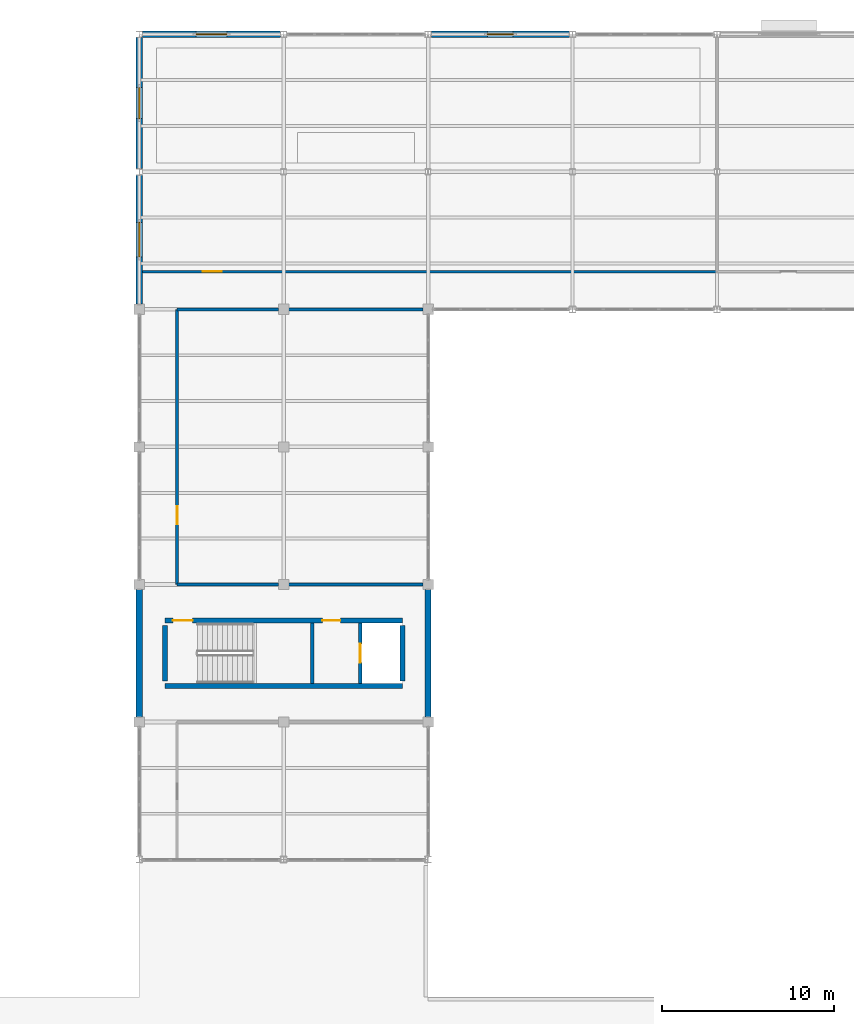
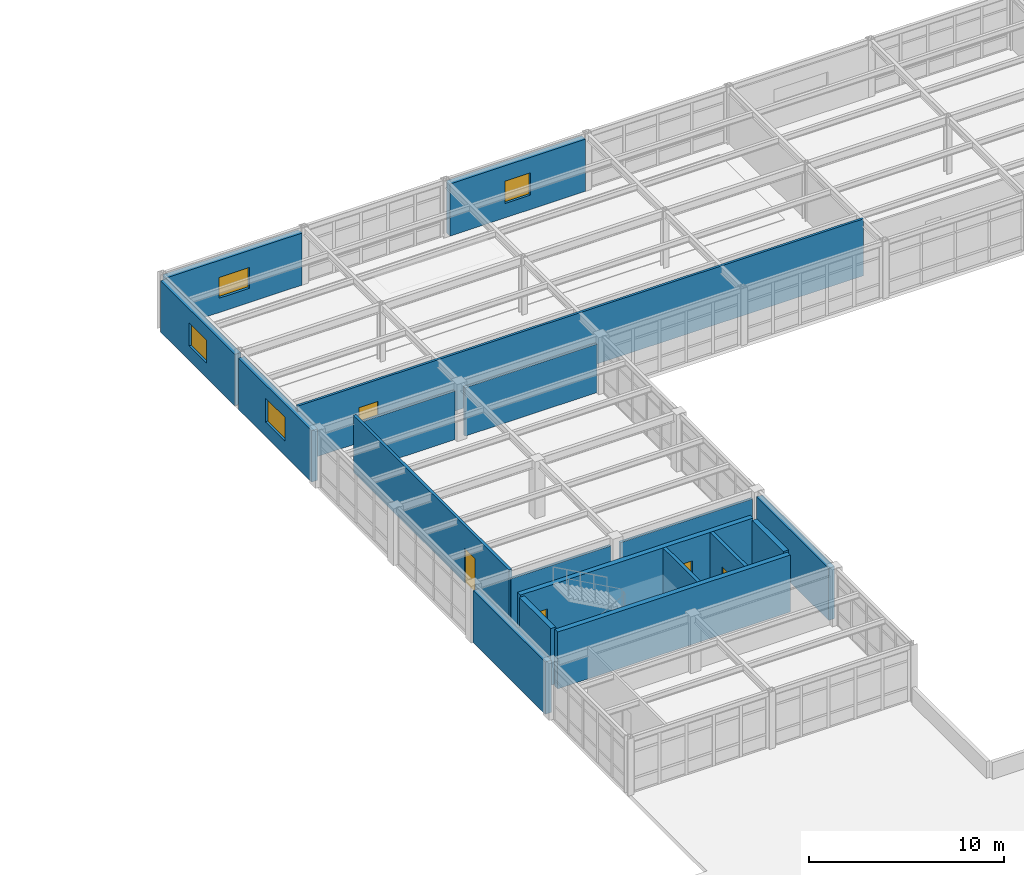
# One storey, part 52 of 96: 18 walls, 5 doors, 4 windows, 9 openings.
"""IFC4 building model written with IfcOpenShell, lengths in metres."""

from ifc_helpers import new_model, si_unit, direction, frame, frame_2d, origin, place, context, subcontext, project, spatial, rectangle, extrude, material, layer, layer_set, type_object, element, fill, save


model = new_model("IFC4")

# Units and contexts
model_context = context("Model", 3, precision=1e-05, world=origin(), true_north=direction((0.0, 1.0)))
body_context = subcontext(model_context, "Body", "Model", "MODEL_VIEW")
ifc_project = project(units=[si_unit("LENGTHUNIT", "METRE"), si_unit("AREAUNIT", "SQUARE_METRE"), si_unit("VOLUMEUNIT", "CUBIC_METRE"), si_unit("PLANEANGLEUNIT", "RADIAN"), si_unit("MASSUNIT", "GRAM", prefix="KILO")], contexts=[model_context])

# Site, building, storey
site_placement = place(None, origin())
site = spatial("IfcSite", under=ifc_project, at=site_placement, CompositionType="ELEMENT")
building_placement = place(site_placement, origin())
building = spatial("IfcBuilding", under=site, at=building_placement, Name="Kranzveld Transit Interchange", CompositionType="ELEMENT")
storey_placement = place(building_placement, frame((0.0, 0.0, 9.52001953125)))
storey = spatial("IfcBuildingStorey", under=building, at=storey_placement, Name="L02", CompositionType="ELEMENT", Elevation=9.52001953125)

# Wall, opening, door
ifc_material_1 = material(Name="Clay masonry unit wall, 20 MPa", Category="masonry")
ifc_layer_1 = layer(ifc_material_1, 0.1650390625)
ifc_layer_set_1 = layer_set([ifc_layer_1], Name="Clay masonry unit wall, 20 MPa")
wall_type_1 = type_object("IfcWallType", Name="Acoustic Double-Stud Partition 165", PredefinedType="PARTITIONING", material=ifc_layer_set_1)
wall_1_placement = place(storey_placement, frame((103.0, 80.0, 0.0), z_axis=(0.0, 0.0, 1.0), x_axis=(0.0, 1.0, 0.0)))
wall_1 = element("IfcWall", 1, at=wall_1_placement, inside=storey, type_object=wall_type_1, Name="L02 Partition IW-L02-L02V4S-FRT-219-0", PredefinedType="PARTITIONING", context=body_context, shape_type="SweptSolid", body=[
    extrude(rectangle(XDim=16.0, YDim=0.1650390625, at=frame_2d((8.0, 0.0))), origin(), (0.0, 0.0, 1.0), 3.570068359375),
])
opening_1_placement = place(wall_1_placement, frame((4.550048828125, 0.0, 0.0), z_axis=(0.0, 0.0, 1.0), x_axis=(-1.0, 0.0, 0.0)))
opening_1 = element("IfcOpeningElement", 2, at=opening_1_placement, cuts=wall_1, Name="Opening D-219", PredefinedType="OPENING", context=body_context, shape_type="SweptSolid", body=[
    extrude(rectangle(XDim=1.050048828125, YDim=2.14990234375, at=frame_2d((0.52490234375, 1.074951171875))), frame((0.0, 0.092529296875, 0.0), z_axis=(0.0, -1.0, 0.0), x_axis=(1.0, 0.0, 0.0)), (0.0, 0.0, 1.0), 0.18505859375),
])
ifc_material_2 = material(Name="Bronze-anodised thermally broken aluminium", Category="aluminium")
door_type_1 = type_object("IfcDoorType", Name="Acoustic Meeting Door 1050x2150", OperationType="NOTDEFINED", PredefinedType="DOOR", material=ifc_material_2)
door_1_placement = place(opening_1_placement, origin())
door_1 = element("IfcDoor", 3, at=door_1_placement, inside=storey, type_object=door_type_1, Name="L02 Interior Door D-219", OperationType="SINGLE_SWING_RIGHT", OverallHeight=2.14990234375, OverallWidth=1.050048828125, PredefinedType="DOOR", context=body_context, shape_type="SweptSolid", body=[
    extrude(rectangle(XDim=1.050048828125, YDim=2.14990234375, at=frame_2d((0.52490234375, 1.074951171875))), frame((0.0, 0.02490234375, 0.0), z_axis=(0.0, -1.0, 0.0), x_axis=(1.0, 0.0, 0.0)), (0.0, 0.0, 1.0), 0.050048828125),
])
fill(opening_1, door_1)

# Walls
wall_2_placement = place(storey_placement, frame((103.0, 80.0, 0.0), z_axis=(0.0, 0.0, 1.0), x_axis=(1.0, 0.0, 0.0)))
element("IfcWall", 4, at=wall_2_placement, inside=storey, type_object=wall_type_1, Name="L02 Partition IW-L02-L02V4S-S-219-0", PredefinedType="PARTITIONING", context=body_context, shape_type="SweptSolid", body=[
    extrude(rectangle(XDim=5.909912109375, YDim=0.1650390625, at=frame_2d((2.955078125, 0.0))), origin(), (0.0, 0.0, 1.0), 3.036865234375),
])
wall_3_placement = place(storey_placement, frame((109.489990234375, 80.0, 0.0), z_axis=(0.0, 0.0, 1.0), x_axis=(1.0, 0.0, 0.0)))
element("IfcWall", 5, at=wall_3_placement, inside=storey, type_object=wall_type_1, Name="L02 Partition IW-L02-L02V4S-S-219-1", PredefinedType="PARTITIONING", context=body_context, shape_type="SweptSolid", body=[
    extrude(rectangle(XDim=7.820068359375, YDim=0.1650390625, at=frame_2d((3.91015625, 0.0))), origin(), (0.0, 0.0, 1.0), 3.036865234375),
])
wall_4_placement = place(storey_placement, frame((103.0, 96.0, 0.0), z_axis=(0.0, 0.0, 1.0), x_axis=(1.0, 0.0, 0.0)))
element("IfcWall", 6, at=wall_4_placement, inside=storey, type_object=wall_type_1, Name="L02 Partition IW-L02-L02V4S-N-219-0", PredefinedType="PARTITIONING", context=body_context, shape_type="SweptSolid", body=[
    extrude(rectangle(XDim=5.909912109375, YDim=0.1650390625, at=frame_2d((2.955078125, 0.0))), origin(), (0.0, 0.0, 1.0), 3.036865234375),
])
wall_5_placement = place(storey_placement, frame((109.489990234375, 96.0, 0.0), z_axis=(0.0, 0.0, 1.0), x_axis=(1.0, 0.0, 0.0)))
element("IfcWall", 7, at=wall_5_placement, inside=storey, type_object=wall_type_1, Name="L02 Partition IW-L02-L02V4S-N-219-1", PredefinedType="PARTITIONING", context=body_context, shape_type="SweptSolid", body=[
    extrude(rectangle(XDim=7.820068359375, YDim=0.1650390625, at=frame_2d((3.91015625, 0.0))), origin(), (0.0, 0.0, 1.0), 3.036865234375),
])

# Wall, opening, door
ifc_material_3 = material(Name="Clay masonry unit wall, 20 MPa", Category="masonry")
ifc_layer_2 = layer(ifc_material_3, 0.139892578125)
ifc_layer_set_2 = layer_set([ifc_layer_2], Name="Clay masonry unit wall, 20 MPa")
wall_type_2 = type_object("IfcWallType", Name="Acoustic Stud Partition 140", PredefinedType="PARTITIONING", material=ifc_layer_set_2)
wall_6_placement = place(storey_placement, frame((100.840087890625, 98.199951171875, 0.0), z_axis=(0.0, 0.0, 1.0), x_axis=(1.0, 0.0, 0.0)))
wall_6 = element("IfcWall", 8, at=wall_6_placement, inside=storey, type_object=wall_type_2, Name="L02 Partition IW-L02-L02V4N-FRT-208-0", PredefinedType="PARTITIONING", context=body_context, shape_type="SweptSolid", body=[
    extrude(rectangle(XDim=33.559814453125, YDim=0.139892578125, at=frame_2d((16.77978515625, 0.0))), origin(), (0.0, 0.0, 1.0), 3.570068359375),
])
opening_2_placement = place(wall_6_placement, frame((3.659912109375, 0.0, 0.0), z_axis=(0.0, 0.0, 1.0), x_axis=(1.0, 0.0, 0.0)))
opening_2 = element("IfcOpeningElement", 9, at=opening_2_placement, cuts=wall_6, Name="Opening D-208", PredefinedType="OPENING", context=body_context, shape_type="SweptSolid", body=[
    extrude(rectangle(XDim=1.10009765625, YDim=2.199951171875, at=frame_2d((0.550048828125, 1.10009765625))), frame((0.0, 0.079833984375, 0.0), z_axis=(0.0, -1.0, 0.0), x_axis=(1.0, 0.0, 0.0)), (0.0, 0.0, 1.0), 0.159912109375),
])
ifc_material_4 = material(Name="Bronze-anodised thermally broken aluminium", Category="aluminium")
door_type_2 = type_object("IfcDoorType", Name="Acoustic Seminar Door 1100x2200", OperationType="NOTDEFINED", PredefinedType="DOOR", material=ifc_material_4)
door_2_placement = place(opening_2_placement, origin())
door_2 = element("IfcDoor", 10, at=door_2_placement, inside=storey, type_object=door_type_2, Name="L02 Interior Door D-208", OperationType="SINGLE_SWING_LEFT", OverallHeight=2.199951171875, OverallWidth=1.10009765625, PredefinedType="DOOR", context=body_context, shape_type="SweptSolid", body=[
    extrude(rectangle(XDim=1.10009765625, YDim=2.199951171875, at=frame_2d((0.550048828125, 1.10009765625))), frame((0.0, 0.02490234375, 0.0), z_axis=(0.0, -1.0, 0.0), x_axis=(1.0, 0.0, 0.0)), (0.0, 0.0, 1.0), 0.050048828125),
])
fill(opening_2, door_2)

# Wall
ifc_material_5 = material(Name="Concrete C40/50", Category="concrete")
ifc_layer_3 = layer(ifc_material_5, 0.300048828125)
ifc_layer_set_3 = layer_set([ifc_layer_3], Name="Concrete C40/50")
wall_type_3 = type_object("IfcWallType", Name="Core Shear Wall RC 300 C40/50", PredefinedType="SHEAR", material=ifc_layer_set_3)
wall_7_placement = place(storey_placement, frame((102.300048828125, 74.090087890625, 0.0), z_axis=(0.0, 0.0, 1.0), x_axis=(1.0, 0.0, 0.0)))
element("IfcWall", 11, at=wall_7_placement, inside=storey, type_object=wall_type_3, Name="L02 Community Core C3 Shear Wall S", PredefinedType="SHEAR", context=body_context, shape_type="SweptSolid", body=[
    extrude(rectangle(XDim=13.800048828125, YDim=0.300048828125, at=frame_2d((6.89990234375, 0.0))), origin(), (0.0, 0.0, 1.0), 3.570068359375),
])

# Wall, openings, doors
wall_8_placement = place(storey_placement, frame((102.300048828125, 77.909912109375, 0.0), z_axis=(0.0, 0.0, 1.0), x_axis=(1.0, 0.0, 0.0)))
wall_8 = element("IfcWall", 12, at=wall_8_placement, inside=storey, type_object=wall_type_3, Name="L02 Community Core C3 Shear Wall N", PredefinedType="SHEAR", context=body_context, shape_type="SweptSolid", body=[
    extrude(rectangle(XDim=13.800048828125, YDim=0.300048828125, at=frame_2d((6.89990234375, 0.0))), origin(), (0.0, 0.0, 1.0), 3.570068359375),
])
opening_3_placement = place(wall_8_placement, frame((0.449951171875, 0.0, 0.0), z_axis=(0.0, 0.0, 1.0), x_axis=(1.0, 0.0, 0.0)))
opening_3 = element("IfcOpeningElement", 13, at=opening_3_placement, cuts=wall_8, Name="Opening D-ST-C3-L02", PredefinedType="OPENING", context=body_context, shape_type="SweptSolid", body=[
    extrude(rectangle(XDim=1.14990234375, YDim=2.14990234375, at=frame_2d((0.574951171875, 1.074951171875))), frame((0.0, 0.159912109375, 0.0), z_axis=(0.0, -1.0, 0.0), x_axis=(1.0, 0.0, 0.0)), (0.0, 0.0, 1.0), 0.320068359375),
])
opening_4_placement = place(wall_8_placement, frame((9.14990234375, 0.0, 0.0), z_axis=(0.0, 0.0, 1.0), x_axis=(1.0, 0.0, 0.0)))
opening_4 = element("IfcOpeningElement", 14, at=opening_4_placement, cuts=wall_8, Name="Opening D-LB-C3-L02", PredefinedType="OPENING", context=body_context, shape_type="SweptSolid", body=[
    extrude(rectangle(XDim=1.050048828125, YDim=2.14990234375, at=frame_2d((0.52490234375, 1.074951171875))), frame((0.0, 0.159912109375, 0.0), z_axis=(0.0, -1.0, 0.0), x_axis=(1.0, 0.0, 0.0)), (0.0, 0.0, 1.0), 0.320068359375),
])
ifc_material_6 = material(Name="Steel S355JR", Category="steel")
door_type_3 = type_object("IfcDoorType", Name="Lift Lobby Fire Door 1050x2150 FD120S", OperationType="NOTDEFINED", PredefinedType="DOOR", material=ifc_material_6)
door_3_placement = place(opening_4_placement, origin())
door_3 = element("IfcDoor", 15, at=door_3_placement, inside=storey, type_object=door_type_3, Name="L02 Community Core C3 Lift Protected Lobby Door", OperationType="SINGLE_SWING_RIGHT", OverallHeight=2.14990234375, OverallWidth=1.050048828125, PredefinedType="DOOR", context=body_context, shape_type="SweptSolid", body=[
    extrude(rectangle(XDim=1.050048828125, YDim=2.14990234375, at=frame_2d((0.52490234375, 1.074951171875))), frame((0.0, 0.02490234375, 0.0), z_axis=(0.0, -1.0, 0.0), x_axis=(1.0, 0.0, 0.0)), (0.0, 0.0, 1.0), 0.050048828125),
])
fill(opening_4, door_3)
ifc_material_7 = material(Name="Steel S355JR", Category="steel")
door_type_4 = type_object("IfcDoorType", Name="Stair Core Fire Door 1150x2150 FD120S", OperationType="NOTDEFINED", PredefinedType="DOOR", material=ifc_material_7)
door_4_placement = place(opening_3_placement, origin())
door_4 = element("IfcDoor", 16, at=door_4_placement, inside=storey, type_object=door_type_4, Name="L02 ST-V4A Protected Stair Door", OperationType="SINGLE_SWING_RIGHT", OverallHeight=2.14990234375, OverallWidth=1.14990234375, PredefinedType="DOOR", context=body_context, shape_type="SweptSolid", body=[
    extrude(rectangle(XDim=1.14990234375, YDim=2.14990234375, at=frame_2d((0.574951171875, 1.074951171875))), frame((0.0, 0.02490234375, 0.0), z_axis=(0.0, -1.0, 0.0), x_axis=(1.0, 0.0, 0.0)), (0.0, 0.0, 1.0), 0.050048828125),
])
fill(opening_3, door_4)

# Walls
for number, where, z_axis, x_axis, name in (
    (17, (102.300048828125, 74.389892578125, 0.0), (0.0, 0.0, 1.0), (0.0, 1.0, 0.0), "L02 Community Core C3 Shear Wall W"),
    (18, (116.10009765625, 74.389892578125, 0.0), (0.0, 0.0, 1.0), (0.0, 1.0, 0.0), "L02 Community Core C3 Shear Wall E"),
):
    element("IfcWall", number, at=place(storey_placement, frame(where, z_axis=z_axis, x_axis=x_axis)), inside=storey, type_object=wall_type_3, Name=name, PredefinedType="SHEAR", context=body_context, shape_type="SweptSolid", body=[
        extrude(rectangle(XDim=3.22021484375, YDim=0.300048828125, at=frame_2d((1.610107421875, 0.0))), origin(), (0.0, 0.0, 1.0), 3.570068359375),
    ])
ifc_material_8 = material(Name="Pretoria red-purple clinker clay face brick, 35 MPa", Category="masonry")
ifc_layer_4 = layer(ifc_material_8, 0.360107421875)
ifc_layer_set_4 = layer_set([ifc_layer_4], Name="Pretoria red-purple clinker clay face brick, 35 MPa")
wall_type_4 = type_object("IfcWallType", Name="Exterior Cavity Wall Red Clinker 360", PredefinedType="SOLIDWALL", material=ifc_layer_set_4)
for number, where, z_axis, x_axis, name in (
    (19, (117.60009765625, 72.300048828125, 0.0), (0.0, 0.0, 1.0), (0.0, 1.0, 0.0), "L02 Clinker Facade Wall 15/K-15/L"),
    (20, (100.800048828125, 72.300048828125, 0.0), (0.0, 0.0, 1.0), (0.0, 1.0, 0.0), "L02 Clinker Facade Wall 13/K-13/L"),
):
    element("IfcWall", number, at=place(storey_placement, frame(where, z_axis=z_axis, x_axis=x_axis)), inside=storey, type_object=wall_type_4, Name=name, PredefinedType="SOLIDWALL", context=body_context, shape_type="SweptSolid", body=[
        extrude(rectangle(XDim=7.39990234375, YDim=0.360107421875, at=frame_2d((3.699951171875, 0.0))), origin(), (0.0, 0.0, 1.0), 3.27001953125),
    ])

# Wall, opening, window
wall_9_placement = place(storey_placement, frame((100.800048828125, 96.300048828125, 0.0), z_axis=(0.0, 0.0, 1.0), x_axis=(0.0, 1.0, 0.0)))
wall_9 = element("IfcWall", 21, at=wall_9_placement, inside=storey, type_object=wall_type_4, Name="L02 Clinker Facade Wall 13/N-13/P", PredefinedType="SOLIDWALL", context=body_context, shape_type="SweptSolid", body=[
    extrude(rectangle(XDim=7.5126953125, YDim=0.360107421875, at=frame_2d((3.75634765625, 0.0))), origin(), (0.0, 0.0, 1.0), 3.218505859375),
])
opening_5_placement = place(wall_9_placement, frame((2.75634765625, 0.0, 0.89990234375), z_axis=(0.0, 0.0, 1.0), x_axis=(1.0, 0.0, 0.0)))
opening_5 = element("IfcOpeningElement", 22, at=opening_5_placement, cuts=wall_9, Name="Opening W-10", PredefinedType="OPENING", context=body_context, shape_type="SweptSolid", body=[
    extrude(rectangle(XDim=2.0, YDim=1.5, at=frame_2d((1.0, 0.75))), frame((0.0, 0.18994140625, 0.0), z_axis=(0.0, -1.0, 0.0), x_axis=(1.0, 0.0, 0.0)), (0.0, 0.0, 1.0), 0.380126953125),
])
ifc_material_9 = material(Name="Solar-control double glazing", Category="glass")
window_type_1 = type_object("IfcWindowType", Name="Window Office Double 2000x1500", PartitioningType="DOUBLE_PANEL_VERTICAL", PredefinedType="WINDOW", material=ifc_material_9)
window_1_placement = place(opening_5_placement, origin())
window_1 = element("IfcWindow", 23, at=window_1_placement, inside=storey, type_object=window_type_1, Name="L02 Facade Window 13/N", OverallHeight=1.5, OverallWidth=2.0, PartitioningType="DOUBLE_PANEL_VERTICAL", PredefinedType="WINDOW", context=body_context, shape_type="SweptSolid", body=[
    extrude(rectangle(XDim=2.0, YDim=1.5, at=frame_2d((1.0, 0.75))), frame((0.0, 0.030029296875, 0.0), z_axis=(0.0, -1.0, 0.0), x_axis=(1.0, 0.0, 0.0)), (0.0, 0.0, 1.0), 0.06005859375),
])
fill(opening_5, window_1)

wall_10_placement = place(storey_placement, frame((100.800048828125, 104.187255859375, 0.0), z_axis=(0.0, 0.0, 1.0), x_axis=(0.0, 1.0, 0.0)))
wall_10 = element("IfcWall", 24, at=wall_10_placement, inside=storey, type_object=wall_type_4, Name="L02 Clinker Facade Wall 13/P-13/Q", PredefinedType="SOLIDWALL", context=body_context, shape_type="SweptSolid", body=[
    extrude(rectangle(XDim=7.62548828125, YDim=0.360107421875, at=frame_2d((3.812744140625, 0.0))), origin(), (0.0, 0.0, 1.0), 3.218505859375),
])
opening_6_placement = place(wall_10_placement, frame((2.91259765625, 0.0, 0.89990234375), z_axis=(0.0, 0.0, 1.0), x_axis=(1.0, 0.0, 0.0)))
opening_6 = element("IfcOpeningElement", 25, at=opening_6_placement, cuts=wall_10, Name="Opening W-11", PredefinedType="OPENING", context=body_context, shape_type="SweptSolid", body=[
    extrude(rectangle(XDim=1.800048828125, YDim=1.449951171875, at=frame_2d((0.89990234375, 0.72509765625))), frame((0.0, 0.18994140625, 0.0), z_axis=(0.0, -1.0, 0.0), x_axis=(1.0, 0.0, 0.0)), (0.0, 0.0, 1.0), 0.380126953125),
])
ifc_material_10 = material(Name="Solar-control double glazing", Category="glass")
window_type_2 = type_object("IfcWindowType", Name="Window Office Double 1800x1450", PartitioningType="DOUBLE_PANEL_VERTICAL", PredefinedType="WINDOW", material=ifc_material_10)
window_2_placement = place(opening_6_placement, origin())
window_2 = element("IfcWindow", 26, at=window_2_placement, inside=storey, type_object=window_type_2, Name="L02 Facade Window 13/P", OverallHeight=1.449951171875, OverallWidth=1.800048828125, PartitioningType="DOUBLE_PANEL_VERTICAL", PredefinedType="WINDOW", context=body_context, shape_type="SweptSolid", body=[
    extrude(rectangle(XDim=1.800048828125, YDim=1.449951171875, at=frame_2d((0.89990234375, 0.72509765625))), frame((0.0, 0.030029296875, 0.0), z_axis=(0.0, -1.0, 0.0), x_axis=(1.0, 0.0, 0.0)), (0.0, 0.0, 1.0), 0.06005859375),
])
fill(opening_6, window_2)

wall_11_placement = place(storey_placement, frame((100.9873046875, 112.0, 0.0), z_axis=(0.0, 0.0, 1.0), x_axis=(1.0, 0.0, 0.0)))
wall_11 = element("IfcWall", 27, at=wall_11_placement, inside=storey, type_object=wall_type_4, Name="L02 Clinker Facade Wall 13/Q-14/Q", PredefinedType="SOLIDWALL", context=body_context, shape_type="SweptSolid", body=[
    extrude(rectangle(XDim=8.025390625, YDim=0.360107421875, at=frame_2d((4.0126953125, 0.0))), origin(), (0.0, 0.0, 1.0), 3.27001953125),
])
opening_7_placement = place(wall_11_placement, frame((3.11279296875, 0.0, 0.89990234375), z_axis=(0.0, 0.0, 1.0), x_axis=(1.0, 0.0, 0.0)))
opening_7 = element("IfcOpeningElement", 28, at=opening_7_placement, cuts=wall_11, Name="Opening W-12", PredefinedType="OPENING", context=body_context, shape_type="SweptSolid", body=[
    extrude(rectangle(XDim=1.800048828125, YDim=1.300048828125, at=frame_2d((0.89990234375, 0.64990234375))), frame((0.0, 0.18994140625, 0.0), z_axis=(0.0, -1.0, 0.0), x_axis=(1.0, 0.0, 0.0)), (0.0, 0.0, 1.0), 0.380126953125),
])
ifc_material_11 = material(Name="Solar-control double glazing", Category="glass")
window_type_3 = type_object("IfcWindowType", Name="Window Studio Double 1800x1300", PartitioningType="DOUBLE_PANEL_VERTICAL", PredefinedType="WINDOW", material=ifc_material_11)
window_3_placement = place(opening_7_placement, origin())
window_3 = element("IfcWindow", 29, at=window_3_placement, inside=storey, type_object=window_type_3, Name="L02 Facade Window 13/Q", OverallHeight=1.300048828125, OverallWidth=1.800048828125, PartitioningType="DOUBLE_PANEL_VERTICAL", PredefinedType="WINDOW", context=body_context, shape_type="SweptSolid", body=[
    extrude(rectangle(XDim=1.800048828125, YDim=1.300048828125, at=frame_2d((0.89990234375, 0.64990234375))), frame((0.0, 0.030029296875, 0.0), z_axis=(0.0, -1.0, 0.0), x_axis=(1.0, 0.0, 0.0)), (0.0, 0.0, 1.0), 0.06005859375),
])
fill(opening_7, window_3)

wall_12_placement = place(storey_placement, frame((117.787353515625, 112.0, 0.0), z_axis=(0.0, 0.0, 1.0), x_axis=(1.0, 0.0, 0.0)))
wall_12 = element("IfcWall", 30, at=wall_12_placement, inside=storey, type_object=wall_type_4, Name="L02 Clinker Facade Wall 15/Q-16/Q", PredefinedType="SOLIDWALL", context=body_context, shape_type="SweptSolid", body=[
    extrude(rectangle(XDim=8.025390625, YDim=0.360107421875, at=frame_2d((4.0126953125, 0.0))), origin(), (0.0, 0.0, 1.0), 3.27001953125),
])
opening_8_placement = place(wall_12_placement, frame((3.2626953125, 0.0, 0.89990234375), z_axis=(0.0, 0.0, 1.0), x_axis=(1.0, 0.0, 0.0)))
opening_8 = element("IfcOpeningElement", 31, at=opening_8_placement, cuts=wall_12, Name="Opening W-13", PredefinedType="OPENING", context=body_context, shape_type="SweptSolid", body=[
    extrude(rectangle(XDim=1.5, YDim=1.39990234375, at=frame_2d((0.75, 0.699951171875))), frame((0.0, 0.18994140625, 0.0), z_axis=(0.0, -1.0, 0.0), x_axis=(1.0, 0.0, 0.0)), (0.0, 0.0, 1.0), 0.380126953125),
])
ifc_material_12 = material(Name="Solar-control double glazing", Category="glass")
window_type_4 = type_object("IfcWindowType", Name="Window Studio Single 1500x1400", PartitioningType="SINGLE_PANEL", PredefinedType="WINDOW", material=ifc_material_12)
window_4_placement = place(opening_8_placement, origin())
window_4 = element("IfcWindow", 32, at=window_4_placement, inside=storey, type_object=window_type_4, Name="L02 Facade Window 15/Q", OverallHeight=1.39990234375, OverallWidth=1.5, PartitioningType="SINGLE_PANEL", PredefinedType="WINDOW", context=body_context, shape_type="SweptSolid", body=[
    extrude(rectangle(XDim=1.5, YDim=1.39990234375, at=frame_2d((0.75, 0.699951171875))), frame((0.0, 0.030029296875, 0.0), z_axis=(0.0, -1.0, 0.0), x_axis=(1.0, 0.0, 0.0)), (0.0, 0.0, 1.0), 0.06005859375),
])
fill(opening_8, window_4)

# Wall
ifc_material_13 = material(Name="Concrete C40/50", Category="concrete")
ifc_layer_5 = layer(ifc_material_13, 0.199951171875)
ifc_layer_set_5 = layer_set([ifc_layer_5], Name="Concrete C40/50")
wall_type_5 = type_object("IfcWallType", Name="Lift Shaft Enclosure Wall RC 200 EI120", PredefinedType="SHEAR", material=ifc_layer_set_5)
wall_13_placement = place(storey_placement, frame((110.85009765625, 74.239990234375, 0.0), z_axis=(0.0, 0.0, 1.0), x_axis=(0.0, 1.0, 0.0)))
element("IfcWall", 33, at=wall_13_placement, inside=storey, type_object=wall_type_5, Name="L02 Community Core C3 Stair-Lobby Dividing Wall", PredefinedType="SHEAR", context=body_context, shape_type="SweptSolid", body=[
    extrude(rectangle(XDim=3.52001953125, YDim=0.199951171875, at=frame_2d((1.760009765625, 0.0))), origin(), (0.0, 0.0, 1.0), 3.570068359375),
])

# Wall, opening, door
wall_14_placement = place(storey_placement, frame((113.64990234375, 74.239990234375, 0.0), z_axis=(0.0, 0.0, 1.0), x_axis=(0.0, 1.0, 0.0)))
wall_14 = element("IfcWall", 34, at=wall_14_placement, inside=storey, type_object=wall_type_5, Name="L02 LF-V4A Shaft Front Wall", PredefinedType="SHEAR", context=body_context, shape_type="SweptSolid", body=[
    extrude(rectangle(XDim=3.52001953125, YDim=0.199951171875, at=frame_2d((1.760009765625, 0.0))), origin(), (0.0, 0.0, 1.0), 3.570068359375),
])
opening_9_placement = place(wall_14_placement, frame((1.2099609375, 0.0, 0.0), z_axis=(0.0, 0.0, 1.0), x_axis=(1.0, 0.0, 0.0)))
opening_9 = element("IfcOpeningElement", 35, at=opening_9_placement, cuts=wall_14, Name="Opening LD-LF-V4A-L02", PredefinedType="OPENING", context=body_context, shape_type="SweptSolid", body=[
    extrude(rectangle(XDim=1.10009765625, YDim=2.14990234375, at=frame_2d((0.550048828125, 1.074951171875))), frame((0.0, 0.10986328125, 0.0), z_axis=(0.0, -1.0, 0.0), x_axis=(1.0, 0.0, 0.0)), (0.0, 0.0, 1.0), 0.219970703125),
])
ifc_material_14 = material(Name="Steel S355JR", Category="steel")
door_type_5 = type_object("IfcDoorType", Name="Lift Landing Sliding Door 1100x2150 FD120S", OperationType="NOTDEFINED", PredefinedType="DOOR", material=ifc_material_14)
door_5_placement = place(opening_9_placement, origin())
door_5 = element("IfcDoor", 36, at=door_5_placement, inside=storey, type_object=door_type_5, Name="L02 LF-V4A Sliding Landing Door", OperationType="DOUBLE_DOOR_SLIDING", OverallHeight=2.14990234375, OverallWidth=1.10009765625, PredefinedType="DOOR", context=body_context, shape_type="SweptSolid", body=[
    extrude(rectangle(XDim=1.10009765625, YDim=2.14990234375, at=frame_2d((0.550048828125, 1.074951171875))), frame((0.0, 0.02490234375, 0.0), z_axis=(0.0, -1.0, 0.0), x_axis=(1.0, 0.0, 0.0)), (0.0, 0.0, 1.0), 0.050048828125),
])
fill(opening_9, door_5)

save(model, "model.ifc")
